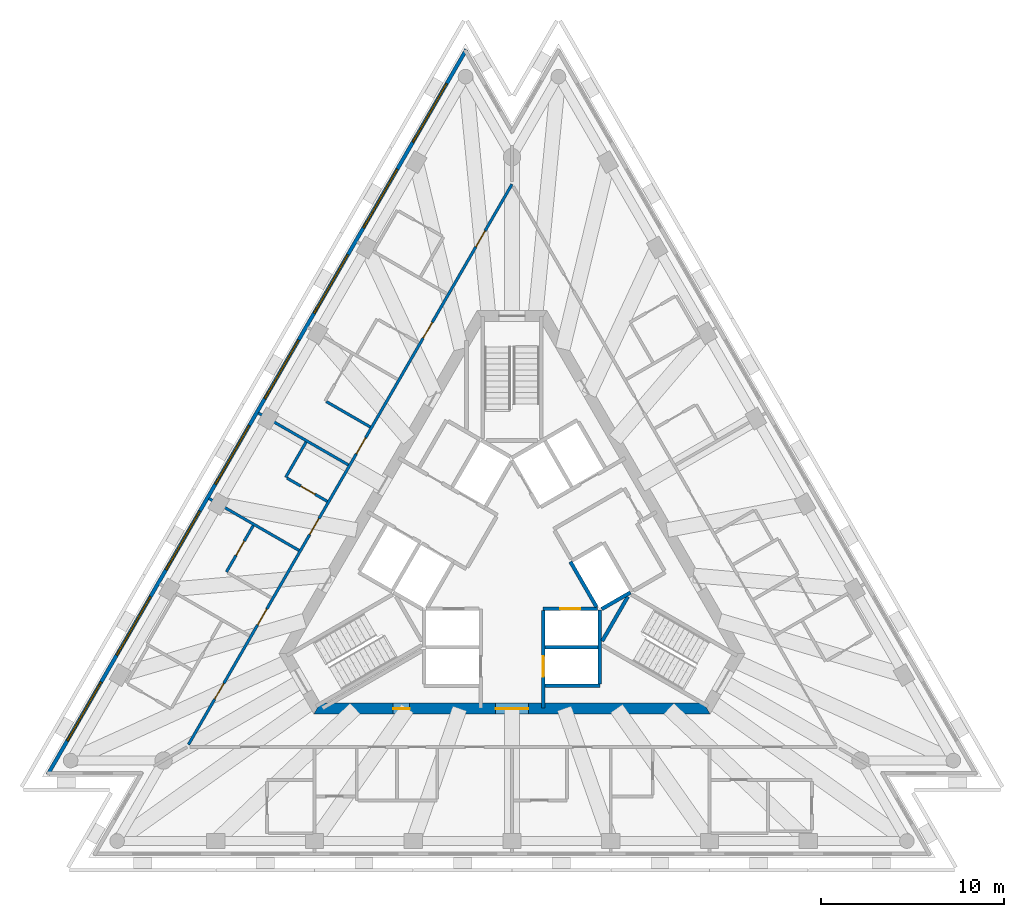
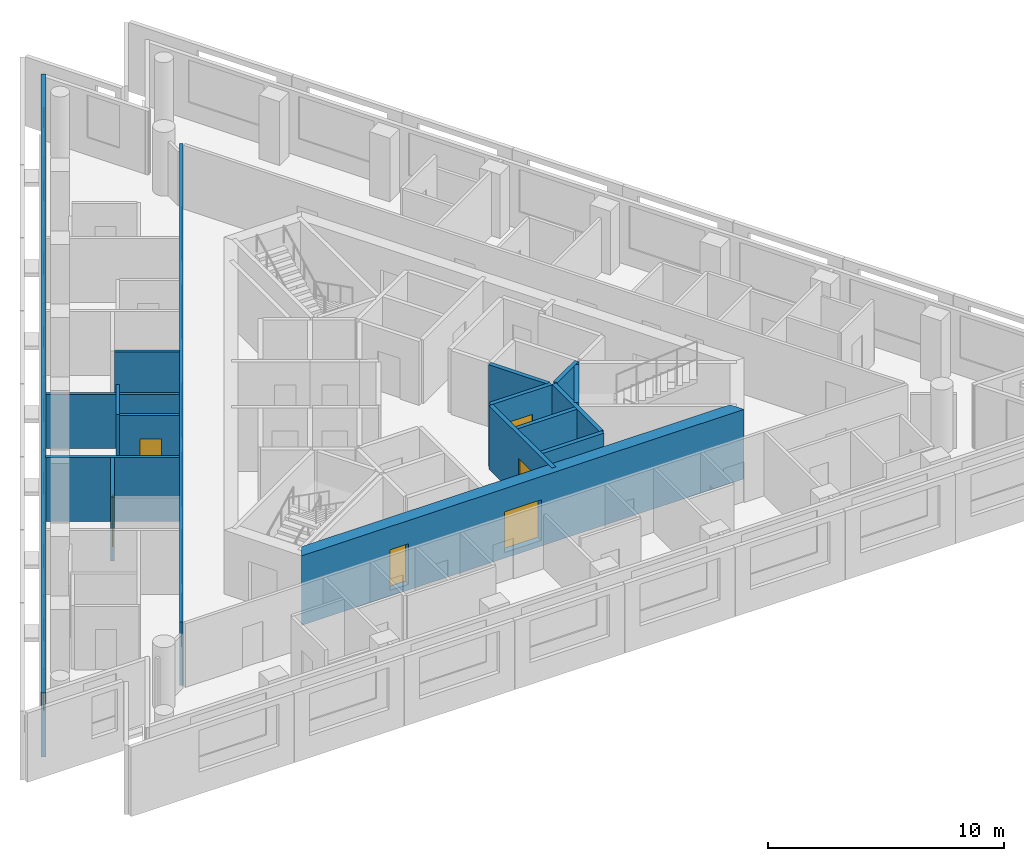
# One storey, part 4 of 10: 17 walls, 12 doors, 8 windows, 20 openings.
"""IFC4 building model written with IfcOpenShell, lengths in metres."""

from ifc_helpers import new_model, si_unit, direction, frame, frame_2d, origin, place, context, subcontext, project, spatial, polyline, rectangle, outline, extrude, material, layer, layer_set, layer_usage, type_object, element, fill, save


model = new_model("IFC4")

# Units and contexts
model_context = context("Model", 3, precision=1e-05, world=origin(), true_north=direction((0.0, 1.0)))
body_context = subcontext(model_context, "Body", "Model", "MODEL_VIEW")
ifc_project = project(units=[si_unit("LENGTHUNIT", "METRE"), si_unit("AREAUNIT", "SQUARE_METRE"), si_unit("VOLUMEUNIT", "CUBIC_METRE"), si_unit("PLANEANGLEUNIT", "RADIAN"), si_unit("MASSUNIT", "GRAM", prefix="KILO")], contexts=[model_context])

# Site, building, storey
site_placement = place(None, origin())
site = spatial("IfcSite", under=ifc_project, at=site_placement, CompositionType="ELEMENT")
building_placement = place(site_placement, origin())
building = spatial("IfcBuilding", under=site, at=building_placement, Name="Triada Interchange Tower", CompositionType="ELEMENT")
storey_placement = place(building_placement, frame((0.0, 0.0, 293.5)))
storey = spatial("IfcBuildingStorey", under=building, at=storey_placement, Name="L69", CompositionType="ELEMENT", Elevation=293.5)

# Walls
ifc_material_1 = material(Name="Concrete C30/37", Category="concrete")
ifc_layer_1 = layer(ifc_material_1, 0.199951171875)
ifc_layer_set_1 = layer_set([ifc_layer_1], Name="CORE WALL 200 EI 120")
wall_type_1 = type_object("IfcWallType", Name="CORE WALL 200 EI 120", PredefinedType="SOLIDWALL", material=ifc_layer_set_1)
wall_1_placement = place(storey_placement, frame((1.800048828125, -6.89990234375, 0.0), z_axis=(0.0, 0.0, 1.0), x_axis=(1.0, 0.0, 0.0)))
element("IfcWall", 1, at=wall_1_placement, inside=storey, type_object=wall_type_1, Name="Wall L68 69", PredefinedType="SOLIDWALL", context=body_context, shape_type="SweptSolid", body=[
    extrude(rectangle(XDim=3.0, YDim=0.199951171875, at=frame_2d((1.5, 0.0))), origin(), (0.0, 0.0, 1.0), 3.300048828125),
])
wall_2_placement = place(storey_placement, frame((1.800048828125, -4.800048828125, 0.0), z_axis=(0.0, 0.0, 1.0), x_axis=(1.0, 0.0, 0.0)))
element("IfcWall", 2, at=wall_2_placement, inside=storey, type_object=wall_type_1, Name="Wall L68 73", PredefinedType="SOLIDWALL", context=body_context, shape_type="SweptSolid", body=[
    extrude(rectangle(XDim=2.89990234375, YDim=0.199951171875, at=frame_2d((1.449951171875, 0.0))), origin(), (0.0, 0.0, 1.0), 3.300048828125),
])

# Wall, opening, door
wall_3_placement = place(storey_placement, frame((1.702880859375, -2.699951171875, 0.0), z_axis=(0.0, 0.0, 1.0), x_axis=(1.0, 0.0, 0.0)))
wall_3 = element("IfcWall", 3, at=wall_3_placement, inside=storey, type_object=wall_type_1, Name="Wall L68 76", PredefinedType="SOLIDWALL", context=body_context, shape_type="SweptSolid", body=[
    extrude(rectangle(XDim=2.97314453125, YDim=0.199951171875, at=frame_2d((1.486572265625, 0.0))), origin(), (0.0, 0.0, 1.0), 3.300048828125),
])
opening_1_placement = place(wall_3_placement, frame((0.93603515625, 0.0, 0.0)))
opening_1 = element("IfcOpeningElement", 4, at=opening_1_placement, cuts=wall_3, Name="Opening LD-HR1", PredefinedType="OPENING", context=body_context, shape_type="SweptSolid", body=[
    extrude(rectangle(XDim=1.10009765625, YDim=2.10009765625, at=frame_2d((0.550048828125, 1.050048828125))), frame((0.0, 0.10986328125, 0.0), z_axis=(0.0, -1.0, 0.0), x_axis=(1.0, 0.0, 0.0)), (0.0, 0.0, 1.0), 0.219970703125),
])
ifc_material_2 = material(Name="Steel S235 door leaf", Category="steel")
door_type_1 = type_object("IfcDoorType", Name="LIFT LANDING DOOR 1100 EI 120", OperationType="SLIDING_TO_LEFT", PredefinedType="DOOR", material=ifc_material_2)
door_1_placement = place(opening_1_placement, origin())
door_1 = element("IfcDoor", 5, at=door_1_placement, inside=storey, type_object=door_type_1, Name="HR1 landing door L69", OperationType="SLIDING_TO_LEFT", OverallHeight=2.10009765625, OverallWidth=1.10009765625, PredefinedType="DOOR", context=body_context, shape_type="SweptSolid", body=[
    extrude(rectangle(XDim=1.10009765625, YDim=2.10009765625, at=frame_2d((0.550048828125, 1.050048828125))), frame((0.0, 0.02490234375, 0.0), z_axis=(0.0, -1.0, 0.0), x_axis=(1.0, 0.0, 0.0)), (0.0, 0.0, 1.0), 0.050048828125),
])
fill(opening_1, door_1)

# Wall
wall_4_placement = place(storey_placement, frame((3.18994140625, -0.125, 0.0), z_axis=(0.0, 0.0, 1.0), x_axis=(0.499988658015, -0.866031951983, 0.0)))
element("IfcWall", 6, at=wall_4_placement, inside=storey, type_object=wall_type_1, Name="Wall L68 79", PredefinedType="SOLIDWALL", context=body_context, shape_type="SweptSolid", body=[
    extrude(rectangle(XDim=2.85791015625, YDim=0.199951171875, at=frame_2d((1.428955078125, 0.0))), origin(), (0.0, 0.0, 1.0), 3.300048828125),
])

# Wall, opening, door
wall_5_placement = place(storey_placement, frame((1.699951171875, -8.1298828125, 0.0), z_axis=(0.0, 0.0, 1.0), x_axis=(0.0, 1.0, 0.0)))
wall_5 = element("IfcWall", 7, at=wall_5_placement, inside=storey, type_object=wall_type_1, Name="Wall L68 81", PredefinedType="SOLIDWALL", context=body_context, shape_type="SweptSolid", body=[
    extrude(rectangle(XDim=5.326904296875, YDim=0.199951171875, at=frame_2d((2.66357421875, 0.0))), origin(), (0.0, 0.0, 1.0), 3.300048828125),
])
opening_2_placement = place(wall_5_placement, frame((1.72998046875, 0.0, 0.0)))
opening_2 = element("IfcOpeningElement", 8, at=opening_2_placement, cuts=wall_5, Name="Opening LD-HR2", PredefinedType="OPENING", context=body_context, shape_type="SweptSolid", body=[
    extrude(rectangle(XDim=1.10009765625, YDim=2.10009765625, at=frame_2d((0.550048828125, 1.050048828125))), frame((0.0, 0.10986328125, 0.0), z_axis=(0.0, -1.0, 0.0), x_axis=(1.0, 0.0, 0.0)), (0.0, 0.0, 1.0), 0.219970703125),
])
door_2_placement = place(opening_2_placement, origin())
door_2 = element("IfcDoor", 9, at=door_2_placement, inside=storey, type_object=door_type_1, Name="HR2 landing door L69", OperationType="SLIDING_TO_LEFT", OverallHeight=2.10009765625, OverallWidth=1.10009765625, PredefinedType="DOOR", context=body_context, shape_type="SweptSolid", body=[
    extrude(rectangle(XDim=1.10009765625, YDim=2.10009765625, at=frame_2d((0.550048828125, 1.050048828125))), frame((0.0, 0.02490234375, 0.0), z_axis=(0.0, -1.0, 0.0), x_axis=(1.0, 0.0, 0.0)), (0.0, 0.0, 1.0), 0.050048828125),
])
fill(opening_2, door_2)

# Walls
wall_6_placement = place(storey_placement, frame((4.800048828125, -6.800048828125, 0.0), z_axis=(0.0, 0.0, 1.0), x_axis=(0.0, 1.0, 0.0)))
element("IfcWall", 10, at=wall_6_placement, inside=storey, type_object=wall_type_1, Name="Wall L68 82", PredefinedType="SOLIDWALL", context=body_context, shape_type="SweptSolid", body=[
    extrude(rectangle(XDim=4.029052734375, YDim=0.199951171875, at=frame_2d((2.0146484375, 0.0))), origin(), (0.0, 0.0, 1.0), 3.300048828125),
])
wall_7_placement = place(storey_placement, frame((4.89990234375, -2.714111328125, 0.0), z_axis=(0.0, 0.0, 1.0), x_axis=(0.865846928409, 0.500309001083, 0.0)))
element("IfcWall", 11, at=wall_7_placement, inside=storey, type_object=wall_type_1, Name="Wall L68 91", PredefinedType="SOLIDWALL", context=body_context, shape_type="SweptSolid", body=[
    extrude(rectangle(XDim=1.813232421875, YDim=0.199951171875, at=frame_2d((0.90673828125, 0.0))), origin(), (0.0, 0.0, 1.0), 3.300048828125),
])
ifc_layer_2 = layer(ifc_material_1, 0.199951171875)
ifc_layer_set_2 = layer_set([ifc_layer_2], Name="CORE WALL 200 REI 240")
wall_type_2 = type_object("IfcWallType", Name="CORE WALL 200 REI 240", PredefinedType="SOLIDWALL", material=ifc_layer_set_2)
wall_8_placement = place(storey_placement, frame((4.928955078125, -4.4619140625, 0.0), z_axis=(0.0, 0.0, 1.0), x_axis=(0.500200581029, 0.865909567298, 0.0)))
element("IfcWall", 12, at=wall_8_placement, inside=storey, type_object=wall_type_2, Name="Wall L68 119", PredefinedType="SOLIDWALL", context=body_context, shape_type="SweptSolid", body=[
    extrude(rectangle(XDim=2.799072265625, YDim=0.199951171875, at=frame_2d((1.3994140625, 0.0))), origin(), (0.0, 0.0, 1.0), 3.300048828125),
])

# Wall, openings, doors
ifc_material_3 = material(Name="Concrete C40/50", Category="concrete")
ifc_layer_3 = layer(ifc_material_3, 0.60009765625)
ifc_layer_set_3 = layer_set([ifc_layer_3], Name="Core wall D 600")
wall_type_3 = type_object("IfcWallType", Name="Core wall D 600", PredefinedType="SHEAR", material=ifc_layer_set_3)
wall_9_placement = place(storey_placement, frame((-10.652099609375, -8.14990234375, -0.300048828125), z_axis=(0.0, 0.0, 1.0), x_axis=(1.0, 0.0, 0.0)))
wall_9 = element("IfcWall", 13, at=wall_9_placement, inside=storey, type_object=wall_type_3, Name="Core wall WD04 L69", PredefinedType="SHEAR", context=body_context, shape_type="SweptSolid", body=[
    extrude(outline(polyline([(-0.173095703125, -0.300048828125), (1.795166015625, -0.300048828125), (3.76318359375, -0.300048828125), (5.7314453125, -0.300048828125), (7.69970703125, -0.300048828125), (9.66796875, -0.300048828125), (11.635986328125, -0.300048828125), (13.604248046875, -0.300048828125), (15.572509765625, -0.300048828125), (17.540771484375, -0.300048828125), (19.5087890625, -0.300048828125), (21.47705078125, -0.300048828125), (21.131103515625, 0.300048828125), (19.225830078125, 0.300048828125), (17.320556640625, 0.300048828125), (15.415283203125, 0.300048828125), (13.510009765625, 0.300048828125), (11.604736328125, 0.300048828125), (9.699462890625, 0.300048828125), (7.794189453125, 0.300048828125), (5.888916015625, 0.300048828125), (3.983642578125, 0.300048828125), (2.078369140625, 0.300048828125), (0.173095703125, 0.300048828125), (-0.173095703125, -0.300048828125)])), origin(), (0.0, 0.0, 1.0), 3.60009765625),
])
opening_3_placement = place(wall_9_placement, frame((9.751953125, 0.0, 0.300048828125)))
opening_3 = element("IfcOpeningElement", 14, at=opening_3_placement, cuts=wall_9, Name="Opening D68-47", PredefinedType="OPENING", context=body_context, shape_type="SweptSolid", body=[
    extrude(rectangle(XDim=1.800048828125, YDim=2.10009765625, at=frame_2d((0.89990234375, 1.050048828125))), frame((0.0, 0.31005859375, 0.0), z_axis=(0.0, -1.0, 0.0), x_axis=(1.0, 0.0, 0.0)), (0.0, 0.0, 1.0), 0.6201171875),
])
opening_4_placement = place(wall_9_placement, frame((4.156005859375, 0.0, 0.300048828125)))
opening_4 = element("IfcOpeningElement", 15, at=opening_4_placement, cuts=wall_9, Name="Opening D68-53", PredefinedType="OPENING", context=body_context, shape_type="SweptSolid", body=[
    extrude(rectangle(XDim=0.89990234375, YDim=2.10009765625, at=frame_2d((0.449951171875, 1.050048828125))), frame((0.0, 0.31005859375, 0.0), z_axis=(0.0, -1.0, 0.0), x_axis=(1.0, 0.0, 0.0)), (0.0, 0.0, 1.0), 0.6201171875),
])
door_type_2 = type_object("IfcDoorType", Name="LOBBY DOOR 1800 EI2 90-C5S200", OperationType="DOUBLE_DOOR_SINGLE_SWING", PredefinedType="DOOR", material=ifc_material_2)
door_3_placement = place(opening_3_placement, origin())
door_3 = element("IfcDoor", 16, at=door_3_placement, inside=storey, type_object=door_type_2, Name="Door D68-47 L69", OperationType="DOUBLE_DOOR_SINGLE_SWING", OverallHeight=2.10009765625, OverallWidth=1.800048828125, PredefinedType="DOOR", context=body_context, shape_type="SweptSolid", body=[
    extrude(rectangle(XDim=1.800048828125, YDim=2.10009765625, at=frame_2d((0.89990234375, 1.050048828125))), frame((0.0, 0.02490234375, 0.0), z_axis=(0.0, -1.0, 0.0), x_axis=(1.0, 0.0, 0.0)), (0.0, 0.0, 1.0), 0.050048828125),
])
fill(opening_3, door_3)
door_type_3 = type_object("IfcDoorType", Name="SERVICE DOOR 900 EI2 45-C5S200", OperationType="NOTDEFINED", PredefinedType="DOOR", material=ifc_material_2)
door_4_placement = place(opening_4_placement, origin())
door_4 = element("IfcDoor", 17, at=door_4_placement, inside=storey, type_object=door_type_3, Name="Door D68-53 L69", OperationType="SINGLE_SWING_RIGHT", OverallHeight=2.10009765625, OverallWidth=0.89990234375, PredefinedType="DOOR", context=body_context, shape_type="SweptSolid", body=[
    extrude(rectangle(XDim=0.89990234375, YDim=2.10009765625, at=frame_2d((0.449951171875, 1.050048828125))), frame((0.0, 0.02490234375, 0.0), z_axis=(0.0, -1.0, 0.0), x_axis=(1.0, 0.0, 0.0)), (0.0, 0.0, 1.0), 0.050048828125),
])
fill(opening_4, door_4)

# Wall, openings, windows
ifc_material_4 = material(Name="Cement board")
ifc_layer_4 = layer(ifc_material_4, 0.02001953125, Name="Cement board cladding")
ifc_material_5 = material(Name="Sheathing board")
ifc_layer_5 = layer(ifc_material_5, 0.014892578125, Name="Sheathing board")
ifc_material_6 = material(Name="Mineral wool")
ifc_layer_6 = layer(ifc_material_6, 0.14990234375, Name="Mineral wool between steel studs")
ifc_material_7 = material(Name="Gypsum board")
ifc_layer_7 = layer(ifc_material_7, 0.014892578125, Name="Plasterboard lining")
ifc_layer_set_4 = layer_set([ifc_layer_4, ifc_layer_5, ifc_layer_6, ifc_layer_7], Name="External wall 200")
ifc_layer_usage = layer_usage(ifc_layer_set_4, "AXIS2", "POSITIVE", -0.10009765625)
wall_type_4 = type_object("IfcWallType", Name="External wall 200", PredefinedType="ELEMENTEDWALL", material=ifc_layer_set_4)
wall_10_placement = place(storey_placement, frame((-2.493896484375, 27.860107421875, 0.0), z_axis=(0.0, 0.0, 1.0), x_axis=(-0.500008134474, -0.866020707292, 0.0)))
wall_10 = element("IfcWall", 18, at=wall_10_placement, inside=storey, type_object=wall_type_4, material=ifc_layer_usage, Name="External wall L69 NW", PredefinedType="ELEMENTEDWALL", context=body_context, shape_type="SweptSolid", body=[
    extrude(rectangle(XDim=45.741455078125, YDim=0.199951171875, at=frame_2d((22.87060546875, 0.0))), origin(), (0.0, 0.0, 1.0), 3.300048828125),
])
opening_5_placement = place(wall_10_placement, frame((2.14990234375, 0.0, 0.89990234375)))
opening_5 = element("IfcOpeningElement", 19, at=opening_5_placement, cuts=wall_10, Name="Opening WD01", PredefinedType="OPENING", context=body_context, shape_type="SweptSolid", body=[
    extrude(rectangle(XDim=3.699951171875, YDim=2.199951171875, at=frame_2d((1.85009765625, 1.10009765625))), frame((0.0, 0.10986328125, 0.0), z_axis=(0.0, -1.0, 0.0), x_axis=(1.0, 0.0, 0.0)), (0.0, 0.0, 1.0), 0.219970703125),
])
opening_6_placement = place(wall_10_placement, frame((7.5439453125, 0.0, 0.89990234375)))
opening_6 = element("IfcOpeningElement", 20, at=opening_6_placement, cuts=wall_10, Name="Opening WD02", PredefinedType="OPENING", context=body_context, shape_type="SweptSolid", body=[
    extrude(rectangle(XDim=3.699951171875, YDim=2.199951171875, at=frame_2d((1.85009765625, 1.10009765625))), frame((0.0, 0.10986328125, 0.0), z_axis=(0.0, -1.0, 0.0), x_axis=(1.0, 0.0, 0.0)), (0.0, 0.0, 1.0), 0.219970703125),
])
opening_7_placement = place(wall_10_placement, frame((12.93896484375, 0.0, 0.89990234375)))
opening_7 = element("IfcOpeningElement", 21, at=opening_7_placement, cuts=wall_10, Name="Opening WD03", PredefinedType="OPENING", context=body_context, shape_type="SweptSolid", body=[
    extrude(rectangle(XDim=3.699951171875, YDim=2.199951171875, at=frame_2d((1.85009765625, 1.10009765625))), frame((0.0, 0.10986328125, 0.0), z_axis=(0.0, -1.0, 0.0), x_axis=(1.0, 0.0, 0.0)), (0.0, 0.0, 1.0), 0.219970703125),
])
opening_8_placement = place(wall_10_placement, frame((18.3330078125, 0.0, 0.89990234375)))
opening_8 = element("IfcOpeningElement", 22, at=opening_8_placement, cuts=wall_10, Name="Opening WD04", PredefinedType="OPENING", context=body_context, shape_type="SweptSolid", body=[
    extrude(rectangle(XDim=3.699951171875, YDim=2.199951171875, at=frame_2d((1.85009765625, 1.10009765625))), frame((0.0, 0.10986328125, 0.0), z_axis=(0.0, -1.0, 0.0), x_axis=(1.0, 0.0, 0.0)), (0.0, 0.0, 1.0), 0.219970703125),
])
opening_9_placement = place(wall_10_placement, frame((23.72802734375, 0.0, 0.89990234375)))
opening_9 = element("IfcOpeningElement", 23, at=opening_9_placement, cuts=wall_10, Name="Opening WD05", PredefinedType="OPENING", context=body_context, shape_type="SweptSolid", body=[
    extrude(rectangle(XDim=3.699951171875, YDim=2.199951171875, at=frame_2d((1.85009765625, 1.10009765625))), frame((0.0, 0.10986328125, 0.0), z_axis=(0.0, -1.0, 0.0), x_axis=(1.0, 0.0, 0.0)), (0.0, 0.0, 1.0), 0.219970703125),
])
opening_10_placement = place(wall_10_placement, frame((29.1220703125, 0.0, 0.89990234375)))
opening_10 = element("IfcOpeningElement", 24, at=opening_10_placement, cuts=wall_10, Name="Opening WD06", PredefinedType="OPENING", context=body_context, shape_type="SweptSolid", body=[
    extrude(rectangle(XDim=3.699951171875, YDim=2.199951171875, at=frame_2d((1.85009765625, 1.10009765625))), frame((0.0, 0.10986328125, 0.0), z_axis=(0.0, -1.0, 0.0), x_axis=(1.0, 0.0, 0.0)), (0.0, 0.0, 1.0), 0.219970703125),
])
opening_11_placement = place(wall_10_placement, frame((34.51708984375, 0.0, 0.89990234375)))
opening_11 = element("IfcOpeningElement", 25, at=opening_11_placement, cuts=wall_10, Name="Opening WD07", PredefinedType="OPENING", context=body_context, shape_type="SweptSolid", body=[
    extrude(rectangle(XDim=3.699951171875, YDim=2.199951171875, at=frame_2d((1.85009765625, 1.10009765625))), frame((0.0, 0.10986328125, 0.0), z_axis=(0.0, -1.0, 0.0), x_axis=(1.0, 0.0, 0.0)), (0.0, 0.0, 1.0), 0.219970703125),
])
opening_12_placement = place(wall_10_placement, frame((39.910888671875, 0.0, 0.89990234375)))
opening_12 = element("IfcOpeningElement", 26, at=opening_12_placement, cuts=wall_10, Name="Opening WD08", PredefinedType="OPENING", context=body_context, shape_type="SweptSolid", body=[
    extrude(rectangle(XDim=3.699951171875, YDim=2.199951171875, at=frame_2d((1.85009765625, 1.10009765625))), frame((0.0, 0.10986328125, 0.0), z_axis=(0.0, -1.0, 0.0), x_axis=(1.0, 0.0, 0.0)), (0.0, 0.0, 1.0), 0.219970703125),
])
ifc_material_8 = material(Name="Double glazed aluminium window", Category="aluminium")
window_type = type_object("IfcWindowType", Name="Ribbon window D face", PartitioningType="SINGLE_PANEL", PredefinedType="WINDOW", material=ifc_material_8)
window_1_placement = place(opening_5_placement, origin())
window_1 = element("IfcWindow", 27, at=window_1_placement, inside=storey, type_object=window_type, Name="Window L69 NW 1", OverallHeight=2.199951171875, OverallWidth=3.699951171875, PartitioningType="SINGLE_PANEL", PredefinedType="WINDOW", context=body_context, shape_type="SweptSolid", body=[
    extrude(rectangle(XDim=3.699951171875, YDim=2.199951171875, at=frame_2d((1.85009765625, 1.10009765625))), frame((0.0, 0.030029296875, 0.0), z_axis=(0.0, -1.0, 0.0), x_axis=(1.0, 0.0, 0.0)), (0.0, 0.0, 1.0), 0.06005859375),
])
fill(opening_5, window_1)
window_2_placement = place(opening_6_placement, origin())
window_2 = element("IfcWindow", 28, at=window_2_placement, inside=storey, type_object=window_type, Name="Window L69 NW 2", OverallHeight=2.199951171875, OverallWidth=3.699951171875, PartitioningType="SINGLE_PANEL", PredefinedType="WINDOW", context=body_context, shape_type="SweptSolid", body=[
    extrude(rectangle(XDim=3.699951171875, YDim=2.199951171875, at=frame_2d((1.85009765625, 1.10009765625))), frame((0.0, 0.030029296875, 0.0), z_axis=(0.0, -1.0, 0.0), x_axis=(1.0, 0.0, 0.0)), (0.0, 0.0, 1.0), 0.06005859375),
])
fill(opening_6, window_2)
window_3_placement = place(opening_7_placement, origin())
window_3 = element("IfcWindow", 29, at=window_3_placement, inside=storey, type_object=window_type, Name="Window L69 NW 3", OverallHeight=2.199951171875, OverallWidth=3.699951171875, PartitioningType="SINGLE_PANEL", PredefinedType="WINDOW", context=body_context, shape_type="SweptSolid", body=[
    extrude(rectangle(XDim=3.699951171875, YDim=2.199951171875, at=frame_2d((1.85009765625, 1.10009765625))), frame((0.0, 0.030029296875, 0.0), z_axis=(0.0, -1.0, 0.0), x_axis=(1.0, 0.0, 0.0)), (0.0, 0.0, 1.0), 0.06005859375),
])
fill(opening_7, window_3)
window_4_placement = place(opening_8_placement, origin())
window_4 = element("IfcWindow", 30, at=window_4_placement, inside=storey, type_object=window_type, Name="Window L69 NW 4", OverallHeight=2.199951171875, OverallWidth=3.699951171875, PartitioningType="SINGLE_PANEL", PredefinedType="WINDOW", context=body_context, shape_type="SweptSolid", body=[
    extrude(rectangle(XDim=3.699951171875, YDim=2.199951171875, at=frame_2d((1.85009765625, 1.10009765625))), frame((0.0, 0.030029296875, 0.0), z_axis=(0.0, -1.0, 0.0), x_axis=(1.0, 0.0, 0.0)), (0.0, 0.0, 1.0), 0.06005859375),
])
fill(opening_8, window_4)
window_5_placement = place(opening_9_placement, origin())
window_5 = element("IfcWindow", 31, at=window_5_placement, inside=storey, type_object=window_type, Name="Window L69 NW 5", OverallHeight=2.199951171875, OverallWidth=3.699951171875, PartitioningType="SINGLE_PANEL", PredefinedType="WINDOW", context=body_context, shape_type="SweptSolid", body=[
    extrude(rectangle(XDim=3.699951171875, YDim=2.199951171875, at=frame_2d((1.85009765625, 1.10009765625))), frame((0.0, 0.030029296875, 0.0), z_axis=(0.0, -1.0, 0.0), x_axis=(1.0, 0.0, 0.0)), (0.0, 0.0, 1.0), 0.06005859375),
])
fill(opening_9, window_5)
window_6_placement = place(opening_10_placement, origin())
window_6 = element("IfcWindow", 32, at=window_6_placement, inside=storey, type_object=window_type, Name="Window L69 NW 6", OverallHeight=2.199951171875, OverallWidth=3.699951171875, PartitioningType="SINGLE_PANEL", PredefinedType="WINDOW", context=body_context, shape_type="SweptSolid", body=[
    extrude(rectangle(XDim=3.699951171875, YDim=2.199951171875, at=frame_2d((1.85009765625, 1.10009765625))), frame((0.0, 0.030029296875, 0.0), z_axis=(0.0, -1.0, 0.0), x_axis=(1.0, 0.0, 0.0)), (0.0, 0.0, 1.0), 0.06005859375),
])
fill(opening_10, window_6)
window_7_placement = place(opening_11_placement, origin())
window_7 = element("IfcWindow", 33, at=window_7_placement, inside=storey, type_object=window_type, Name="Window L69 NW 7", OverallHeight=2.199951171875, OverallWidth=3.699951171875, PartitioningType="SINGLE_PANEL", PredefinedType="WINDOW", context=body_context, shape_type="SweptSolid", body=[
    extrude(rectangle(XDim=3.699951171875, YDim=2.199951171875, at=frame_2d((1.85009765625, 1.10009765625))), frame((0.0, 0.030029296875, 0.0), z_axis=(0.0, -1.0, 0.0), x_axis=(1.0, 0.0, 0.0)), (0.0, 0.0, 1.0), 0.06005859375),
])
fill(opening_11, window_7)
window_8_placement = place(opening_12_placement, origin())
window_8 = element("IfcWindow", 34, at=window_8_placement, inside=storey, type_object=window_type, Name="Window L69 NW 8", OverallHeight=2.199951171875, OverallWidth=3.699951171875, PartitioningType="SINGLE_PANEL", PredefinedType="WINDOW", context=body_context, shape_type="SweptSolid", body=[
    extrude(rectangle(XDim=3.699951171875, YDim=2.199951171875, at=frame_2d((1.85009765625, 1.10009765625))), frame((0.0, 0.030029296875, 0.0), z_axis=(0.0, -1.0, 0.0), x_axis=(1.0, 0.0, 0.0)), (0.0, 0.0, 1.0), 0.06005859375),
])
fill(opening_12, window_8)

# Wall, openings, doors
ifc_material_9 = material(Name="Gypsum board partition")
ifc_layer_8 = layer(ifc_material_9, 0.14990234375)
ifc_layer_set_5 = layer_set([ifc_layer_8], Name="PARTITION 150 EI 180")
wall_type_5 = type_object("IfcWallType", Name="PARTITION 150 EI 180", PredefinedType="PARTITIONING", material=ifc_layer_set_5)
wall_11_placement = place(storey_placement, frame((-17.678955078125, -10.1201171875, 0.0), z_axis=(0.0, 0.0, 1.0), x_axis=(0.500008955215, 0.866020233427, 0.0)))
wall_11 = element("IfcWall", 35, at=wall_11_placement, inside=storey, type_object=wall_type_5, Name="Wall L68 5", PredefinedType="PARTITIONING", context=body_context, shape_type="SweptSolid", body=[
    extrude(rectangle(XDim=35.357177734375, YDim=0.14990234375, at=frame_2d((17.6787109375, 0.0))), origin(), (0.0, 0.0, 1.0), 3.300048828125),
])
opening_13_placement = place(wall_11_placement, frame((31.406982421875, 0.0, 0.0)))
opening_13 = element("IfcOpeningElement", 36, at=opening_13_placement, cuts=wall_11, Name="Opening D68-34", PredefinedType="OPENING", context=body_context, shape_type="SweptSolid", body=[
    extrude(rectangle(XDim=1.0, YDim=2.10009765625, at=frame_2d((0.5, 1.050048828125))), frame((0.0, 0.0849609375, 0.0), z_axis=(0.0, -1.0, 0.0), x_axis=(1.0, 0.0, 0.0)), (0.0, 0.0, 1.0), 0.169921875),
])
opening_14_placement = place(wall_11_placement, frame((25.64208984375, 0.0, 0.0)))
opening_14 = element("IfcOpeningElement", 37, at=opening_14_placement, cuts=wall_11, Name="Opening D68-36", PredefinedType="OPENING", context=body_context, shape_type="SweptSolid", body=[
    extrude(rectangle(XDim=1.0, YDim=2.10009765625, at=frame_2d((0.5, 1.050048828125))), frame((0.0, 0.0849609375, 0.0), z_axis=(0.0, -1.0, 0.0), x_axis=(1.0, 0.0, 0.0)), (0.0, 0.0, 1.0), 0.169921875),
])
opening_15_placement = place(wall_11_placement, frame((18.347900390625, 0.0, 0.0)))
opening_15 = element("IfcOpeningElement", 38, at=opening_15_placement, cuts=wall_11, Name="Opening D68-38", PredefinedType="OPENING", context=body_context, shape_type="SweptSolid", body=[
    extrude(rectangle(XDim=1.0, YDim=2.10009765625, at=frame_2d((0.5, 1.050048828125))), frame((0.0, 0.0849609375, 0.0), z_axis=(0.0, -1.0, 0.0), x_axis=(1.0, 0.0, 0.0)), (0.0, 0.0, 1.0), 0.169921875),
])
opening_16_placement = place(wall_11_placement, frame((13.25390625, 0.0, 0.0)))
opening_16 = element("IfcOpeningElement", 39, at=opening_16_placement, cuts=wall_11, Name="Opening D68-40", PredefinedType="OPENING", context=body_context, shape_type="SweptSolid", body=[
    extrude(rectangle(XDim=1.0, YDim=2.10009765625, at=frame_2d((0.5, 1.050048828125))), frame((0.0, 0.0849609375, 0.0), z_axis=(0.0, -1.0, 0.0), x_axis=(1.0, 0.0, 0.0)), (0.0, 0.0, 1.0), 0.169921875),
])
opening_17_placement = place(wall_11_placement, frame((7.55908203125, 0.0, 0.0)))
opening_17 = element("IfcOpeningElement", 40, at=opening_17_placement, cuts=wall_11, Name="Opening D68-42", PredefinedType="OPENING", context=body_context, shape_type="SweptSolid", body=[
    extrude(rectangle(XDim=1.0, YDim=2.10009765625, at=frame_2d((0.5, 1.050048828125))), frame((0.0, 0.0849609375, 0.0), z_axis=(0.0, -1.0, 0.0), x_axis=(1.0, 0.0, 0.0)), (0.0, 0.0, 1.0), 0.169921875),
])
opening_18_placement = place(wall_11_placement, frame((2.864990234375, 0.0, 0.0)))
opening_18 = element("IfcOpeningElement", 41, at=opening_18_placement, cuts=wall_11, Name="Opening D68-44", PredefinedType="OPENING", context=body_context, shape_type="SweptSolid", body=[
    extrude(rectangle(XDim=1.0, YDim=2.10009765625, at=frame_2d((0.5, 1.050048828125))), frame((0.0, 0.0849609375, 0.0), z_axis=(0.0, -1.0, 0.0), x_axis=(1.0, 0.0, 0.0)), (0.0, 0.0, 1.0), 0.169921875),
])
door_type_4 = type_object("IfcDoorType", Name="GUEST ROOM DOOR 1000 EI2 90-C5S200", OperationType="NOTDEFINED", PredefinedType="DOOR", material=ifc_material_2)
door_5_placement = place(opening_13_placement, origin())
door_5 = element("IfcDoor", 42, at=door_5_placement, inside=storey, type_object=door_type_4, Name="Door D68-34 L69", OperationType="SINGLE_SWING_RIGHT", OverallHeight=2.10009765625, OverallWidth=1.0, PredefinedType="DOOR", context=body_context, shape_type="SweptSolid", body=[
    extrude(rectangle(XDim=1.0, YDim=2.10009765625, at=frame_2d((0.5, 1.050048828125))), frame((0.0, 0.02490234375, 0.0), z_axis=(0.0, -1.0, 0.0), x_axis=(1.0, 0.0, 0.0)), (0.0, 0.0, 1.0), 0.050048828125),
])
fill(opening_13, door_5)
door_6_placement = place(opening_14_placement, origin())
door_6 = element("IfcDoor", 43, at=door_6_placement, inside=storey, type_object=door_type_4, Name="Door D68-36 L69", OperationType="SINGLE_SWING_RIGHT", OverallHeight=2.10009765625, OverallWidth=1.0, PredefinedType="DOOR", context=body_context, shape_type="SweptSolid", body=[
    extrude(rectangle(XDim=1.0, YDim=2.10009765625, at=frame_2d((0.5, 1.050048828125))), frame((0.0, 0.02490234375, 0.0), z_axis=(0.0, -1.0, 0.0), x_axis=(1.0, 0.0, 0.0)), (0.0, 0.0, 1.0), 0.050048828125),
])
fill(opening_14, door_6)
door_7_placement = place(opening_15_placement, origin())
door_7 = element("IfcDoor", 44, at=door_7_placement, inside=storey, type_object=door_type_4, Name="Door D68-38 L69", OperationType="SINGLE_SWING_LEFT", OverallHeight=2.10009765625, OverallWidth=1.0, PredefinedType="DOOR", context=body_context, shape_type="SweptSolid", body=[
    extrude(rectangle(XDim=1.0, YDim=2.10009765625, at=frame_2d((0.5, 1.050048828125))), frame((0.0, 0.02490234375, 0.0), z_axis=(0.0, -1.0, 0.0), x_axis=(1.0, 0.0, 0.0)), (0.0, 0.0, 1.0), 0.050048828125),
])
fill(opening_15, door_7)
door_8_placement = place(opening_16_placement, origin())
door_8 = element("IfcDoor", 45, at=door_8_placement, inside=storey, type_object=door_type_4, Name="Door D68-40 L69", OperationType="SINGLE_SWING_RIGHT", OverallHeight=2.10009765625, OverallWidth=1.0, PredefinedType="DOOR", context=body_context, shape_type="SweptSolid", body=[
    extrude(rectangle(XDim=1.0, YDim=2.10009765625, at=frame_2d((0.5, 1.050048828125))), frame((0.0, 0.02490234375, 0.0), z_axis=(0.0, -1.0, 0.0), x_axis=(1.0, 0.0, 0.0)), (0.0, 0.0, 1.0), 0.050048828125),
])
fill(opening_16, door_8)
door_9_placement = place(opening_17_placement, origin())
door_9 = element("IfcDoor", 46, at=door_9_placement, inside=storey, type_object=door_type_4, Name="Door D68-42 L69", OperationType="SINGLE_SWING_LEFT", OverallHeight=2.10009765625, OverallWidth=1.0, PredefinedType="DOOR", context=body_context, shape_type="SweptSolid", body=[
    extrude(rectangle(XDim=1.0, YDim=2.10009765625, at=frame_2d((0.5, 1.050048828125))), frame((0.0, 0.02490234375, 0.0), z_axis=(0.0, -1.0, 0.0), x_axis=(1.0, 0.0, 0.0)), (0.0, 0.0, 1.0), 0.050048828125),
])
fill(opening_17, door_9)
door_10_placement = place(opening_18_placement, origin())
door_10 = element("IfcDoor", 47, at=door_10_placement, inside=storey, type_object=door_type_4, Name="Door D68-44 L69", OperationType="SINGLE_SWING_LEFT", OverallHeight=2.10009765625, OverallWidth=1.0, PredefinedType="DOOR", context=body_context, shape_type="SweptSolid", body=[
    extrude(rectangle(XDim=1.0, YDim=2.10009765625, at=frame_2d((0.5, 1.050048828125))), frame((0.0, 0.02490234375, 0.0), z_axis=(0.0, -1.0, 0.0), x_axis=(1.0, 0.0, 0.0)), (0.0, 0.0, 1.0), 0.050048828125),
])
fill(opening_18, door_10)

# Walls
wall_12_placement = place(storey_placement, frame((-16.56201171875, 3.3330078125, 0.0), z_axis=(0.0, 0.0, 1.0), x_axis=(0.866048987239, -0.499959150034, 0.0)))
element("IfcWall", 48, at=wall_12_placement, inside=storey, type_object=wall_type_5, Name="Wall L68 6", PredefinedType="PARTITIONING", context=body_context, shape_type="SweptSolid", body=[
    extrude(rectangle(XDim=5.6845703125, YDim=0.14990234375, at=frame_2d((2.84228515625, 0.0))), origin(), (0.0, 0.0, 1.0), 3.300048828125),
])
wall_13_placement = place(storey_placement, frame((-13.864990234375, 8.0048828125, 0.0), z_axis=(0.0, 0.0, 1.0), x_axis=(0.86606758311, -0.499926936147, 0.0)))
element("IfcWall", 49, at=wall_13_placement, inside=storey, type_object=wall_type_5, Name="Wall L68 7", PredefinedType="PARTITIONING", context=body_context, shape_type="SweptSolid", body=[
    extrude(rectangle(XDim=5.684326171875, YDim=0.14990234375, at=frame_2d((2.84228515625, 0.0))), origin(), (0.0, 0.0, 1.0), 2.800048828125),
])

# Wall, opening, door
ifc_layer_9 = layer(ifc_material_9, 0.14990234375)
ifc_layer_set_6 = layer_set([ifc_layer_9], Name="PARTITION 150 EI 90")
wall_type_6 = type_object("IfcWallType", Name="PARTITION 150 EI 90", PredefinedType="PARTITIONING", material=ifc_layer_set_6)
wall_14_placement = place(storey_placement, frame((-15.60302734375, -0.68505859375, 0.0), z_axis=(0.0, 0.0, 1.0), x_axis=(0.500187211558, 0.865917290158, 0.0)))
wall_14 = element("IfcWall", 50, at=wall_14_placement, inside=storey, type_object=wall_type_6, Name="Wall L68 35", PredefinedType="PARTITIONING", context=body_context, shape_type="SweptSolid", body=[
    extrude(rectangle(XDim=2.92529296875, YDim=0.14990234375, at=frame_2d((1.462646484375, 0.0))), origin(), (0.0, 0.0, 1.0), 3.300048828125),
])
opening_19_placement = place(wall_14_placement, frame((1.050048828125, 0.0, 0.0)))
opening_19 = element("IfcOpeningElement", 51, at=opening_19_placement, cuts=wall_14, Name="Opening D68-43", PredefinedType="OPENING", context=body_context, shape_type="SweptSolid", body=[
    extrude(rectangle(XDim=0.89990234375, YDim=2.10009765625, at=frame_2d((0.449951171875, 1.050048828125))), frame((0.0, 0.0849609375, 0.0), z_axis=(0.0, -1.0, 0.0), x_axis=(1.0, 0.0, 0.0)), (0.0, 0.0, 1.0), 0.169921875),
])
door_type_5 = type_object("IfcDoorType", Name="ROOM DOOR 900 EI2 45-C5S200", OperationType="NOTDEFINED", PredefinedType="DOOR", material=ifc_material_2)
door_11_placement = place(opening_19_placement, origin())
door_11 = element("IfcDoor", 52, at=door_11_placement, inside=storey, type_object=door_type_5, Name="Door D68-43 L69", OperationType="SINGLE_SWING_LEFT", OverallHeight=2.10009765625, OverallWidth=0.89990234375, PredefinedType="DOOR", context=body_context, shape_type="SweptSolid", body=[
    extrude(rectangle(XDim=0.89990234375, YDim=2.10009765625, at=frame_2d((0.449951171875, 1.050048828125))), frame((0.0, 0.02490234375, 0.0), z_axis=(0.0, -1.0, 0.0), x_axis=(1.0, 0.0, 0.0)), (0.0, 0.0, 1.0), 0.050048828125),
])
fill(opening_19, door_11)

# Wall
wall_15_placement = place(storey_placement, frame((-12.364990234375, 4.48291015625, 0.0), z_axis=(0.0, 0.0, 1.0), x_axis=(0.500162441854, 0.865931597621, 0.0)))
element("IfcWall", 53, at=wall_15_placement, inside=storey, type_object=wall_type_6, Name="Wall L68 38", PredefinedType="PARTITIONING", context=body_context, shape_type="SweptSolid", body=[
    extrude(rectangle(XDim=2.225341796875, YDim=0.14990234375, at=frame_2d((1.11279296875, 0.0))), origin(), (0.0, 0.0, 1.0), 3.300048828125),
])

# Wall, opening, door
wall_16_placement = place(storey_placement, frame((-12.300048828125, 4.446044921875, 0.0), z_axis=(0.0, 0.0, 1.0), x_axis=(0.865965520905, -0.500103705848, 0.0)))
wall_16 = element("IfcWall", 54, at=wall_16_placement, inside=storey, type_object=wall_type_6, Name="Wall L68 40", PredefinedType="PARTITIONING", context=body_context, shape_type="SweptSolid", body=[
    extrude(rectangle(XDim=2.5498046875, YDim=0.14990234375, at=frame_2d((1.27490234375, 0.0))), origin(), (0.0, 0.0, 1.0), 3.300048828125),
])
opening_20_placement = place(wall_16_placement, frame((0.875, 0.0, 0.0)))
opening_20 = element("IfcOpeningElement", 55, at=opening_20_placement, cuts=wall_16, Name="Opening D68-41", PredefinedType="OPENING", context=body_context, shape_type="SweptSolid", body=[
    extrude(rectangle(XDim=0.89990234375, YDim=2.10009765625, at=frame_2d((0.449951171875, 1.050048828125))), frame((0.0, 0.0849609375, 0.0), z_axis=(0.0, -1.0, 0.0), x_axis=(1.0, 0.0, 0.0)), (0.0, 0.0, 1.0), 0.169921875),
])
door_12_placement = place(opening_20_placement, origin())
door_12 = element("IfcDoor", 56, at=door_12_placement, inside=storey, type_object=door_type_5, Name="Door D68-41 L69", OperationType="SINGLE_SWING_RIGHT", OverallHeight=2.10009765625, OverallWidth=0.89990234375, PredefinedType="DOOR", context=body_context, shape_type="SweptSolid", body=[
    extrude(rectangle(XDim=0.89990234375, YDim=2.10009765625, at=frame_2d((0.449951171875, 1.050048828125))), frame((0.0, 0.02490234375, 0.0), z_axis=(0.0, -1.0, 0.0), x_axis=(1.0, 0.0, 0.0)), (0.0, 0.0, 1.0), 0.050048828125),
])
fill(opening_20, door_12)

# Wall
wall_17_placement = place(storey_placement, frame((-10.14306640625, 8.62109375, 0.0), z_axis=(0.0, 0.0, 1.0), x_axis=(0.866049104564, -0.499958946799, 0.0)))
element("IfcWall", 57, at=wall_17_placement, inside=storey, type_object=wall_type_6, Name="Wall L68 48", PredefinedType="PARTITIONING", context=body_context, shape_type="SweptSolid", body=[
    extrude(rectangle(XDim=2.770263671875, YDim=0.14990234375, at=frame_2d((1.38525390625, 0.0))), origin(), (0.0, 0.0, 1.0), 3.300048828125),
])

save(model, "model.ifc")
